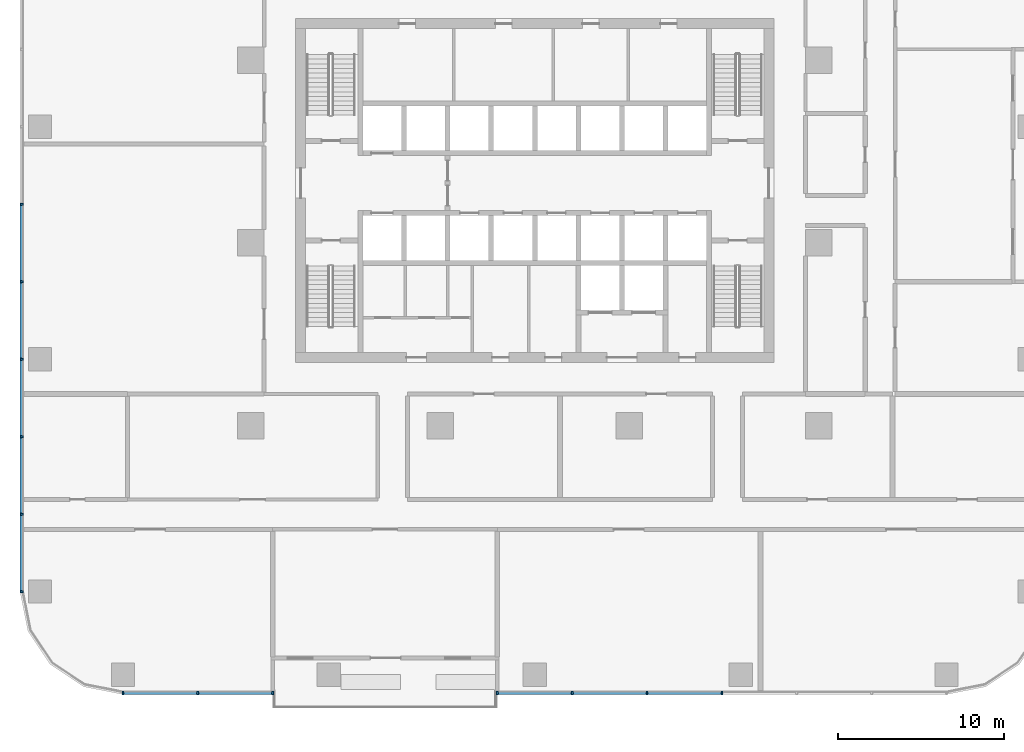
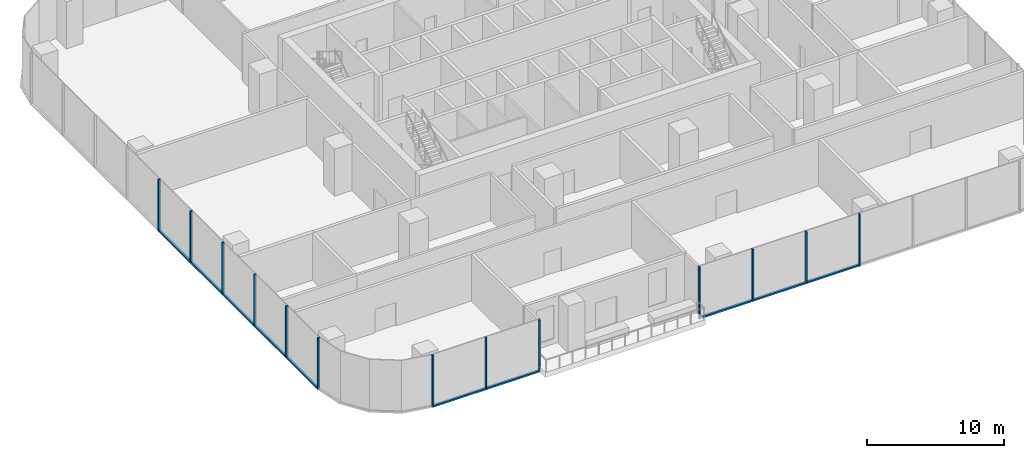
# One storey, part 2 of 15: 23 members, 3 elements without a shape of their own.
"""IFC4 building model written with IfcOpenShell, lengths in metres."""

from ifc_helpers import new_model, si_unit, direction, frame, origin, origin_2d, place, context, subcontext, project, spatial, rectangle, extrude, material, material_profile, profile_set, type_object, element, aggregate, save


model = new_model("IFC4")

# Units and contexts
model_context = context("Model", 3, precision=1e-05, world=origin(), true_north=direction((0.0, 1.0)))
body_context = subcontext(model_context, "Body", "Model", "MODEL_VIEW")
ifc_project = project(units=[si_unit("LENGTHUNIT", "METRE"), si_unit("AREAUNIT", "SQUARE_METRE"), si_unit("VOLUMEUNIT", "CUBIC_METRE"), si_unit("PLANEANGLEUNIT", "RADIAN"), si_unit("MASSUNIT", "GRAM", prefix="KILO")], contexts=[model_context])

# Site, building, storey
site_placement = place(None, origin())
site = spatial("IfcSite", under=ifc_project, at=site_placement, CompositionType="ELEMENT")
building_placement = place(site_placement, origin())
building = spatial("IfcBuilding", under=site, at=building_placement, Name="Mopane Tessera Tower", CompositionType="ELEMENT")
storey_placement = place(building_placement, frame((0.0, 0.0, 83.800048828125)))
storey = spatial("IfcBuildingStorey", under=building, at=storey_placement, Name="L16", CompositionType="ELEMENT", Elevation=83.800048828125)

# Curtain wall, members
ifc_material_1 = material(Name="Aluminium frame", Category="aluminium")
curtain_wall_type = type_object("IfcCurtainWallType", Name="Lower tower unitised wall", PredefinedType="NOTDEFINED", material=ifc_material_1)
curtain_wall_1_placement = place(storey_placement, origin())
curtain_wall_1 = element("IfcCurtainWall", 1, at=curtain_wall_1_placement, inside=storey, type_object=curtain_wall_type, Name="e:cw:L16:S:0", PredefinedType="NOTDEFINED")
ifc_material_2 = material(Name="Aluminium frame", Category="aluminium")
ifc_material_profile_1 = material_profile(ifc_material_2, rectangle(XDim=0.110107421875, YDim=0.199951171875, at=origin_2d()))
ifc_profile_set_1 = profile_set([ifc_material_profile_1], Name="Aluminium frame")
member_type_1 = type_object("IfcMemberType", Name="Aluminium mullion 110 x 200", PredefinedType="MULLION", material=ifc_profile_set_1)
member_1_placement = place(storey_placement, frame((-24.800048828125, -27.10009765625, -0.449951171875), z_axis=(0.0, 0.0, 1.0), x_axis=(1.0, 0.0, 0.0)))
member_1 = element("IfcMember", 2, at=member_1_placement, type_object=member_type_1, Name="e:cw:L16:S:0:mu0", PredefinedType="MULLION", context=body_context, shape_type="SweptSolid", body=[
    extrude(rectangle(XDim=0.110107421875, YDim=0.199951171875, at=origin_2d()), origin(), (0.0, 0.0, 1.0), 4.64990234375),
])
member_2_placement = place(storey_placement, frame((-20.291015625, -27.10009765625, -0.449951171875), z_axis=(0.0, 0.0, 1.0), x_axis=(1.0, 0.0, 0.0)))
member_2 = element("IfcMember", 3, at=member_2_placement, type_object=member_type_1, Name="e:cw:L16:S:0:mu1", PredefinedType="MULLION", context=body_context, shape_type="SweptSolid", body=[
    extrude(rectangle(XDim=0.110107421875, YDim=0.199951171875, at=origin_2d()), origin(), (0.0, 0.0, 1.0), 4.64990234375),
])
member_3_placement = place(storey_placement, frame((-15.78173828125, -27.10009765625, -0.449951171875), z_axis=(0.0, 0.0, 1.0), x_axis=(1.0, 0.0, 0.0)))
member_3 = element("IfcMember", 4, at=member_3_placement, type_object=member_type_1, Name="e:cw:L16:S:0:mu2", PredefinedType="MULLION", context=body_context, shape_type="SweptSolid", body=[
    extrude(rectangle(XDim=0.110107421875, YDim=0.199951171875, at=origin_2d()), origin(), (0.0, 0.0, 1.0), 4.64990234375),
])

curtain_wall_2_placement = place(storey_placement, origin())
curtain_wall_2 = element("IfcCurtainWall", 5, at=curtain_wall_2_placement, inside=storey, type_object=curtain_wall_type, Name="e:cw:L16:S:5", PredefinedType="NOTDEFINED")
member_4_placement = place(storey_placement, frame((-2.254638671875, -27.10009765625, -0.449951171875), z_axis=(0.0, 0.0, 1.0), x_axis=(1.0, 0.0, 0.0)))
member_4 = element("IfcMember", 6, at=member_4_placement, type_object=member_type_1, Name="e:cw:L16:S:5:mu5", PredefinedType="MULLION", context=body_context, shape_type="SweptSolid", body=[
    extrude(rectangle(XDim=0.110107421875, YDim=0.199951171875, at=origin_2d()), origin(), (0.0, 0.0, 1.0), 4.64990234375),
])
member_5_placement = place(storey_placement, frame((2.254638671875, -27.10009765625, -0.449951171875), z_axis=(0.0, 0.0, 1.0), x_axis=(1.0, 0.0, 0.0)))
member_5 = element("IfcMember", 7, at=member_5_placement, type_object=member_type_1, Name="e:cw:L16:S:5:mu6", PredefinedType="MULLION", context=body_context, shape_type="SweptSolid", body=[
    extrude(rectangle(XDim=0.110107421875, YDim=0.199951171875, at=origin_2d()), origin(), (0.0, 0.0, 1.0), 4.64990234375),
])
member_6_placement = place(storey_placement, frame((6.763671875, -27.10009765625, -0.449951171875), z_axis=(0.0, 0.0, 1.0), x_axis=(1.0, 0.0, 0.0)))
member_6 = element("IfcMember", 8, at=member_6_placement, type_object=member_type_1, Name="e:cw:L16:S:5:mu7", PredefinedType="MULLION", context=body_context, shape_type="SweptSolid", body=[
    extrude(rectangle(XDim=0.110107421875, YDim=0.199951171875, at=origin_2d()), origin(), (0.0, 0.0, 1.0), 4.64990234375),
])
member_7_placement = place(storey_placement, frame((11.272705078125, -27.10009765625, -0.449951171875), z_axis=(0.0, 0.0, 1.0), x_axis=(1.0, 0.0, 0.0)))
member_7 = element("IfcMember", 9, at=member_7_placement, type_object=member_type_1, Name="e:cw:L16:S:5:mu8", PredefinedType="MULLION", context=body_context, shape_type="SweptSolid", body=[
    extrude(rectangle(XDim=0.110107421875, YDim=0.199951171875, at=origin_2d()), origin(), (0.0, 0.0, 1.0), 4.64990234375),
])

curtain_wall_3_placement = place(storey_placement, origin())
curtain_wall_3 = element("IfcCurtainWall", 10, at=curtain_wall_3_placement, inside=storey, type_object=curtain_wall_type, Name="e:cw:L16:W:0", PredefinedType="NOTDEFINED")
member_8_placement = place(storey_placement, frame((-30.89990234375, 2.333251953125, -0.449951171875), z_axis=(0.0, 0.0, 1.0), x_axis=(0.0, -1.0, 0.0)))
member_8 = element("IfcMember", 11, at=member_8_placement, type_object=member_type_1, Name="e:cw:L16:W:0:mu4", PredefinedType="MULLION", context=body_context, shape_type="SweptSolid", body=[
    extrude(rectangle(XDim=0.110107421875, YDim=0.199951171875, at=origin_2d()), origin(), (0.0, 0.0, 1.0), 4.64990234375),
])
member_9_placement = place(storey_placement, frame((-30.89990234375, -2.333251953125, -0.449951171875), z_axis=(0.0, 0.0, 1.0), x_axis=(0.0, -1.0, 0.0)))
member_9 = element("IfcMember", 12, at=member_9_placement, type_object=member_type_1, Name="e:cw:L16:W:0:mu5", PredefinedType="MULLION", context=body_context, shape_type="SweptSolid", body=[
    extrude(rectangle(XDim=0.110107421875, YDim=0.199951171875, at=origin_2d()), origin(), (0.0, 0.0, 1.0), 4.64990234375),
])
member_10_placement = place(storey_placement, frame((-30.89990234375, -7.0, -0.449951171875), z_axis=(0.0, 0.0, 1.0), x_axis=(0.0, -1.0, 0.0)))
member_10 = element("IfcMember", 13, at=member_10_placement, type_object=member_type_1, Name="e:cw:L16:W:0:mu6", PredefinedType="MULLION", context=body_context, shape_type="SweptSolid", body=[
    extrude(rectangle(XDim=0.110107421875, YDim=0.199951171875, at=origin_2d()), origin(), (0.0, 0.0, 1.0), 4.64990234375),
])
member_11_placement = place(storey_placement, frame((-30.89990234375, -11.666748046875, -0.449951171875), z_axis=(0.0, 0.0, 1.0), x_axis=(0.0, -1.0, 0.0)))
member_11 = element("IfcMember", 14, at=member_11_placement, type_object=member_type_1, Name="e:cw:L16:W:0:mu7", PredefinedType="MULLION", context=body_context, shape_type="SweptSolid", body=[
    extrude(rectangle(XDim=0.110107421875, YDim=0.199951171875, at=origin_2d()), origin(), (0.0, 0.0, 1.0), 4.64990234375),
])
member_12_placement = place(storey_placement, frame((-30.89990234375, -16.333251953125, -0.449951171875), z_axis=(0.0, 0.0, 1.0), x_axis=(0.0, -1.0, 0.0)))
member_12 = element("IfcMember", 15, at=member_12_placement, type_object=member_type_1, Name="e:cw:L16:W:0:mu8", PredefinedType="MULLION", context=body_context, shape_type="SweptSolid", body=[
    extrude(rectangle(XDim=0.110107421875, YDim=0.199951171875, at=origin_2d()), origin(), (0.0, 0.0, 1.0), 4.64990234375),
])
member_13_placement = place(storey_placement, frame((-30.89990234375, -21.0, -0.449951171875), z_axis=(0.0, 0.0, 1.0), x_axis=(0.0, -1.0, 0.0)))
member_13 = element("IfcMember", 16, at=member_13_placement, type_object=member_type_1, Name="e:cw:L16:W:0:mu9", PredefinedType="MULLION", context=body_context, shape_type="SweptSolid", body=[
    extrude(rectangle(XDim=0.110107421875, YDim=0.199951171875, at=origin_2d()), origin(), (0.0, 0.0, 1.0), 4.64990234375),
])

# Member
ifc_material_3 = material(Name="Aluminium frame", Category="aluminium")
ifc_material_profile_2 = material_profile(ifc_material_3, rectangle(XDim=0.199951171875, YDim=0.139892578125, at=origin_2d()))
ifc_profile_set_2 = profile_set([ifc_material_profile_2], Name="Aluminium frame")
member_type_2 = type_object("IfcMemberType", Name="Aluminium transom 200 x 140", PredefinedType="USERDEFINED", material=ifc_profile_set_2)
member_14_placement = place(storey_placement, frame((-24.7451171875, -27.10009765625, -0.380126953125), z_axis=(1.0, 0.0, 0.0), x_axis=(0.0, 1.0, 0.0)))
member_14 = element("IfcMember", 17, at=member_14_placement, type_object=member_type_2, Name="e:cw:L16:S:0:tr0", ObjectType="TRANSOM", PredefinedType="USERDEFINED", context=body_context, shape_type="SweptSolid", body=[
    extrude(rectangle(XDim=0.199951171875, YDim=0.139892578125, at=origin_2d()), origin(), (0.0, 0.0, 1.0), 4.399169921875),
])

member_15_placement = place(storey_placement, frame((-20.23583984375, -27.10009765625, -0.380126953125), z_axis=(1.0, 0.0, 0.0), x_axis=(0.0, 1.0, 0.0)))
member_15 = element("IfcMember", 18, at=member_15_placement, type_object=member_type_2, Name="e:cw:L16:S:0:tr1", ObjectType="TRANSOM", PredefinedType="USERDEFINED", context=body_context, shape_type="SweptSolid", body=[
    extrude(rectangle(XDim=0.199951171875, YDim=0.139892578125, at=origin_2d()), origin(), (0.0, 0.0, 1.0), 4.39892578125),
])

aggregate(curtain_wall_1, [member_1, member_2, member_3, member_14, member_15])

member_16_placement = place(storey_placement, frame((-2.199462890625, -27.10009765625, -0.380126953125), z_axis=(1.0, 0.0, 0.0), x_axis=(0.0, 1.0, 0.0)))
member_16 = element("IfcMember", 19, at=member_16_placement, type_object=member_type_2, Name="e:cw:L16:S:5:tr5", ObjectType="TRANSOM", PredefinedType="USERDEFINED", context=body_context, shape_type="SweptSolid", body=[
    extrude(rectangle(XDim=0.199951171875, YDim=0.139892578125, at=origin_2d()), origin(), (0.0, 0.0, 1.0), 4.39892578125),
])

member_17_placement = place(storey_placement, frame((2.3095703125, -27.10009765625, -0.380126953125), z_axis=(1.0, 0.0, 0.0), x_axis=(0.0, 1.0, 0.0)))
member_17 = element("IfcMember", 20, at=member_17_placement, type_object=member_type_2, Name="e:cw:L16:S:5:tr6", ObjectType="TRANSOM", PredefinedType="USERDEFINED", context=body_context, shape_type="SweptSolid", body=[
    extrude(rectangle(XDim=0.199951171875, YDim=0.139892578125, at=origin_2d()), origin(), (0.0, 0.0, 1.0), 4.399169921875),
])

member_18_placement = place(storey_placement, frame((6.818603515625, -27.10009765625, -0.380126953125), z_axis=(1.0, 0.0, 0.0), x_axis=(0.0, 1.0, 0.0)))
member_18 = element("IfcMember", 21, at=member_18_placement, type_object=member_type_2, Name="e:cw:L16:S:5:tr7", ObjectType="TRANSOM", PredefinedType="USERDEFINED", context=body_context, shape_type="SweptSolid", body=[
    extrude(rectangle(XDim=0.199951171875, YDim=0.139892578125, at=origin_2d()), origin(), (0.0, 0.0, 1.0), 4.399169921875),
])

aggregate(curtain_wall_2, [member_4, member_5, member_6, member_7, member_16, member_17, member_18])

member_19_placement = place(storey_placement, frame((-30.89990234375, 2.2783203125, -0.380126953125), z_axis=(0.0, -1.0, 0.0), x_axis=(1.0, 0.0, 0.0)))
member_19 = element("IfcMember", 22, at=member_19_placement, type_object=member_type_2, Name="e:cw:L16:W:0:tr4", ObjectType="TRANSOM", PredefinedType="USERDEFINED", context=body_context, shape_type="SweptSolid", body=[
    extrude(rectangle(XDim=0.199951171875, YDim=0.139892578125, at=origin_2d()), origin(), (0.0, 0.0, 1.0), 4.556640625),
])

member_20_placement = place(storey_placement, frame((-30.89990234375, -2.388427734375, -0.380126953125), z_axis=(0.0, -1.0, 0.0), x_axis=(1.0, 0.0, 0.0)))
member_20 = element("IfcMember", 23, at=member_20_placement, type_object=member_type_2, Name="e:cw:L16:W:0:tr5", ObjectType="TRANSOM", PredefinedType="USERDEFINED", context=body_context, shape_type="SweptSolid", body=[
    extrude(rectangle(XDim=0.199951171875, YDim=0.139892578125, at=origin_2d()), origin(), (0.0, 0.0, 1.0), 4.556640625),
])

member_21_placement = place(storey_placement, frame((-30.89990234375, -7.054931640625, -0.380126953125), z_axis=(0.0, -1.0, 0.0), x_axis=(1.0, 0.0, 0.0)))
member_21 = element("IfcMember", 24, at=member_21_placement, type_object=member_type_2, Name="e:cw:L16:W:0:tr6", ObjectType="TRANSOM", PredefinedType="USERDEFINED", context=body_context, shape_type="SweptSolid", body=[
    extrude(rectangle(XDim=0.199951171875, YDim=0.139892578125, at=origin_2d()), origin(), (0.0, 0.0, 1.0), 4.556640625),
])

member_22_placement = place(storey_placement, frame((-30.89990234375, -11.7216796875, -0.380126953125), z_axis=(0.0, -1.0, 0.0), x_axis=(1.0, 0.0, 0.0)))
member_22 = element("IfcMember", 25, at=member_22_placement, type_object=member_type_2, Name="e:cw:L16:W:0:tr7", ObjectType="TRANSOM", PredefinedType="USERDEFINED", context=body_context, shape_type="SweptSolid", body=[
    extrude(rectangle(XDim=0.199951171875, YDim=0.139892578125, at=origin_2d()), origin(), (0.0, 0.0, 1.0), 4.556640625),
])

member_23_placement = place(storey_placement, frame((-30.89990234375, -16.388427734375, -0.380126953125), z_axis=(0.0, -1.0, 0.0), x_axis=(1.0, 0.0, 0.0)))
member_23 = element("IfcMember", 26, at=member_23_placement, type_object=member_type_2, Name="e:cw:L16:W:0:tr8", ObjectType="TRANSOM", PredefinedType="USERDEFINED", context=body_context, shape_type="SweptSolid", body=[
    extrude(rectangle(XDim=0.199951171875, YDim=0.139892578125, at=origin_2d()), origin(), (0.0, 0.0, 1.0), 4.556640625),
])

aggregate(curtain_wall_3, [member_8, member_9, member_10, member_11, member_12, member_13, member_19, member_20, member_21, member_22, member_23])

save(model, "model.ifc")
